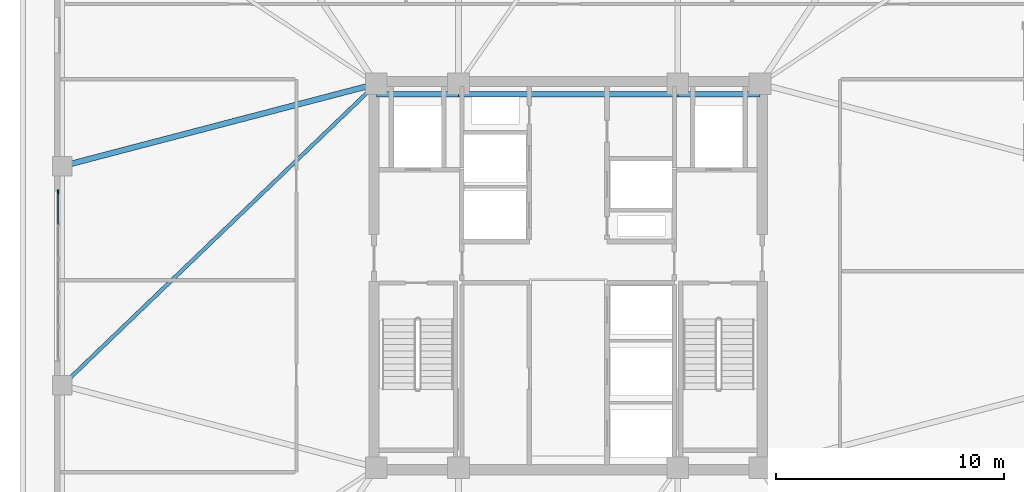
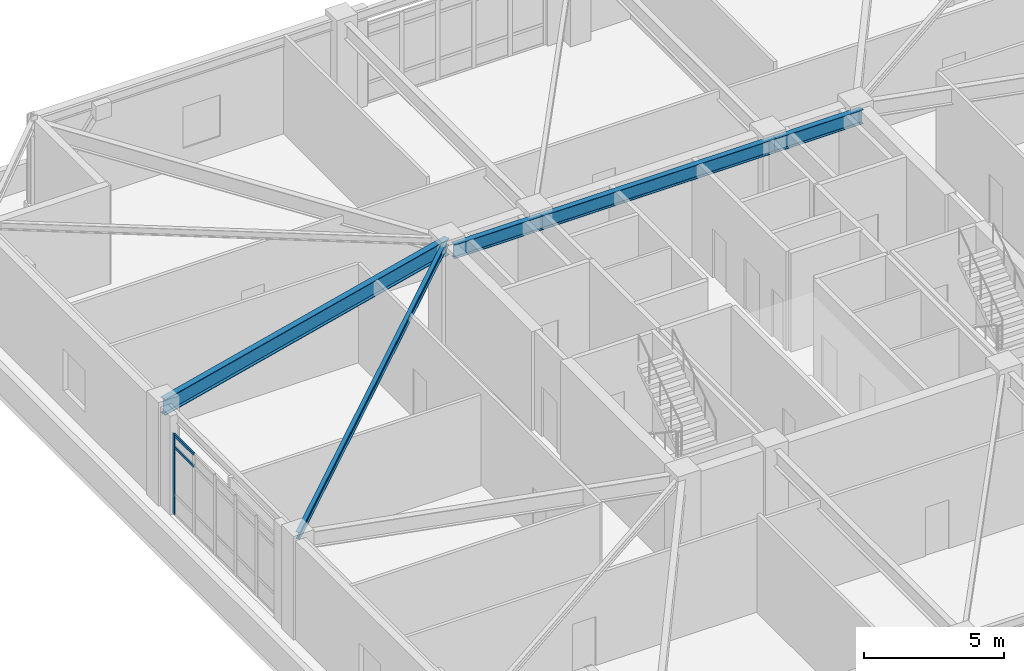
# One storey, part 7 of 18: 5 beams, 3 members, 1 element without a shape of its own.
"""IFC4 building model written with IfcOpenShell, lengths in metres."""

from ifc_helpers import new_model, si_unit, direction, frame, origin, origin_2d, place, context, subcontext, project, spatial, rectangle, i_section, extrude, material, layer, layer_set, material_profile, profile_set, type_object, element, aggregate, save


model = new_model("IFC4")

# Units and contexts
model_context = context("Model", 3, precision=1e-05, world=origin(), true_north=direction((0.0, 1.0)))
body_context = subcontext(model_context, "Body", "Model", "MODEL_VIEW")
ifc_project = project(units=[si_unit("LENGTHUNIT", "METRE"), si_unit("AREAUNIT", "SQUARE_METRE"), si_unit("VOLUMEUNIT", "CUBIC_METRE"), si_unit("PLANEANGLEUNIT", "RADIAN"), si_unit("MASSUNIT", "GRAM", prefix="KILO")], contexts=[model_context])

# Site, building, storey
site_placement = place(None, origin())
site = spatial("IfcSite", under=ifc_project, at=site_placement, CompositionType="ELEMENT")
building_placement = place(site_placement, origin())
building = spatial("IfcBuilding", under=site, at=building_placement, Name="Cairnveth Concourse Tower", CompositionType="ELEMENT")
storey_placement = place(building_placement, frame((0.0, 0.0, 198.0)))
storey = spatial("IfcBuildingStorey", under=building, at=storey_placement, Name="L54", CompositionType="ELEMENT", Elevation=198.0)

# Curtain wall, members
ifc_material_1 = material(Name="Architectural Bronze Anodised Aluminium 6063-T6", Category="aluminium")
ifc_layer = layer(ifc_material_1, 0.320068359375)
ifc_layer_set = layer_set([ifc_layer], Name="Architectural Bronze Anodised Aluminium 6063-T6")
curtain_wall_type = type_object("IfcCurtainWallType", Name="SKY LOBBY WINTERGARDEN CURTAIN WALL", PredefinedType="USERDEFINED", material=ifc_layer_set)
curtain_wall_placement = place(storey_placement, origin())
curtain_wall = element("IfcCurtainWall", 1, at=curtain_wall_placement, inside=storey, type_object=curtain_wall_type, Name="Curtain Wall CW-L54-F6", ObjectType="UNITISED FACADE", PredefinedType="USERDEFINED")
ifc_material_profile_1 = material_profile(ifc_material_1, rectangle(XDim=0.06494140625, YDim=0.179931640625, at=origin_2d()), Name="AL-MUL-65x180")
ifc_profile_set_1 = profile_set([ifc_material_profile_1], Name="Architectural Bronze Anodised Aluminium 6063-T6")
member_type_1 = type_object("IfcMemberType", Name="BRONZE CURTAIN WALL MULLION AL-MUL-65x180", PredefinedType="MULLION", material=ifc_profile_set_1)
member_1_placement = place(storey_placement, frame((29.659912109375, 42.6826171875, 0.0), z_axis=(0.0, 0.0, 1.0), x_axis=(-1.0, 0.0, 0.0)))
member_1 = element("IfcMember", 2, at=member_1_placement, type_object=member_type_1, Name="CWS4 mullion 6", PredefinedType="MULLION", context=body_context, shape_type="SweptSolid", body=[
    extrude(rectangle(XDim=0.06494140625, YDim=0.179931640625, at=origin_2d()), origin(), (0.0, 0.0, 1.0), 3.498046875),
])
ifc_material_profile_2 = material_profile(ifc_material_1, rectangle(XDim=0.06494140625, YDim=0.1201171875, at=origin_2d()), Name="AL-TRN-65x120")
ifc_profile_set_2 = profile_set([ifc_material_profile_2], Name="Architectural Bronze Anodised Aluminium 6063-T6")
member_type_2 = type_object("IfcMemberType", Name="BRONZE CURTAIN WALL TRANSOM AL-TRN-65x120", PredefinedType="USERDEFINED", material=ifc_profile_set_2)
member_2_placement = place(storey_placement, frame((29.659912109375, 41.261474609375, 2.947998046875), z_axis=(0.0, 1.0, 0.0), x_axis=(-1.0, 0.0, 0.0)))
member_2 = element("IfcMember", 3, at=member_2_placement, type_object=member_type_2, Name="CWS4 transom 5.3", ObjectType="TRANSOM", PredefinedType="USERDEFINED", context=body_context, shape_type="SweptSolid", body=[
    extrude(rectangle(XDim=0.06494140625, YDim=0.1201171875, at=origin_2d()), origin(), (0.0, 0.0, 1.0), 1.388427734375),
])
member_3_placement = place(storey_placement, frame((29.659912109375, 41.261474609375, 3.465576171875), z_axis=(0.0, 1.0, 0.0), x_axis=(-1.0, 0.0, 0.0)))
member_3 = element("IfcMember", 4, at=member_3_placement, type_object=member_type_2, Name="CWS4 transom 5.4", ObjectType="TRANSOM", PredefinedType="USERDEFINED", context=body_context, shape_type="SweptSolid", body=[
    extrude(rectangle(XDim=0.06494140625, YDim=0.1201171875, at=origin_2d()), origin(), (0.0, 0.0, 1.0), 1.388427734375),
])
aggregate(curtain_wall, [member_1, member_2, member_3])

# Beams
ifc_material_2 = material(Name="Steel Grade 350", Category="steel")
ifc_material_profile_3 = material_profile(ifc_material_2, i_section(OverallWidth=0.22802734375, OverallDepth=0.60693359375, WebThickness=0.01123046875, FlangeThickness=0.017333984375, FilletRadius=0.013916015625, at=origin_2d()), Name="610UB113")
ifc_profile_set_3 = profile_set([ifc_material_profile_3], Name="Steel Grade 350")
beam_type_1 = type_object("IfcBeamType", Name="CORE TIE BEAM 610UB113", PredefinedType="T_BEAM", material=ifc_profile_set_3)
for number, where, z_axis, x_axis, name in (
    (5, (43.60009765625, 46.949951171875, 3.986572265625), (1.0, 0.0, 0.0), (0.0, 1.0, 0.0), "Beam CT-N1 L54"),
    (6, (56.800048828125, 46.949951171875, 3.986572265625), (1.0, 0.0, 0.0), (0.0, 1.0, 0.0), "Beam CT-N3 L54"),
):
    element("IfcBeam", number, at=place(storey_placement, frame(where, z_axis=z_axis, x_axis=x_axis)), inside=storey, type_object=beam_type_1, Name=name, PredefinedType="T_BEAM", context=body_context, shape_type="SweptSolid", body=[
        extrude(i_section(OverallWidth=0.22802734375, OverallDepth=0.60693359375, WebThickness=0.01123046875, FlangeThickness=0.017333984375, FilletRadius=0.013916015625, at=origin_2d()), origin(), (0.0, 0.0, 1.0), 3.599853515625),
    ])
beam_1_placement = place(storey_placement, frame((47.199951171875, 46.949951171875, 3.986572265625), z_axis=(1.0, 0.0, 0.0), x_axis=(0.0, 1.0, 0.0)))
element("IfcBeam", 7, at=beam_1_placement, inside=storey, type_object=beam_type_1, Name="Beam CT-N2 L54", PredefinedType="T_BEAM", context=body_context, shape_type="SweptSolid", body=[
    extrude(i_section(OverallWidth=0.22802734375, OverallDepth=0.60693359375, WebThickness=0.01123046875, FlangeThickness=0.017333984375, FilletRadius=0.013916015625, at=origin_2d()), origin(), (0.0, 0.0, 1.0), 9.60009765625),
])
ifc_material_profile_4 = material_profile(ifc_material_2, i_section(OverallWidth=0.166015625, OverallDepth=0.306884765625, WebThickness=0.006591796875, FlangeThickness=0.01171875, FilletRadius=0.010986328125, at=origin_2d()), Name="310UB46.2")
ifc_profile_set_4 = profile_set([ifc_material_profile_4], Name="Steel Grade 350")
beam_type_2 = type_object("IfcBeamType", Name="ZONE 3 FLOOR JOIST 310UB46.2", PredefinedType="JOIST", material=ifc_profile_set_4)
beam_2_placement = place(storey_placement, frame((29.85009765625, 34.199951171875, 4.136474609375), z_axis=(0.721388600838, 0.692530495055, 0.0), x_axis=(-0.692530495055, 0.721388600838, 0.0)))
element("IfcBeam", 8, at=beam_2_placement, inside=storey, type_object=beam_type_2, Name="Beam FJ-W-M1 L54", PredefinedType="JOIST", context=body_context, shape_type="SweptSolid", body=[
    extrude(i_section(OverallWidth=0.166015625, OverallDepth=0.306884765625, WebThickness=0.006591796875, FlangeThickness=0.01171875, FilletRadius=0.010986328125, at=origin_2d()), origin(), (0.0, 0.0, 1.0), 19.060546875),
])
ifc_material_profile_5 = material_profile(ifc_material_2, i_section(OverallWidth=0.25, OverallDepth=0.69189453125, WebThickness=0.010009765625, FlangeThickness=0.02490234375, at=origin_2d()), Name="700WB150")
ifc_profile_set_5 = profile_set([ifc_material_profile_5], Name="Steel Grade 350")
beam_type_3 = type_object("IfcBeamType", Name="ZONE 3 RADIAL GIRDER 700WB150", PredefinedType="BEAM", material=ifc_profile_set_5)
beam_3_placement = place(storey_placement, frame((29.85009765625, 43.800048828125, 3.944091796875), z_axis=(0.967395273598, 0.253271365575, 0.0), x_axis=(-0.253271365575, 0.967395273598, 0.0)))
element("IfcBeam", 9, at=beam_3_placement, inside=storey, type_object=beam_type_3, Name="Beam RG-W2 L54", PredefinedType="BEAM", context=body_context, shape_type="SweptSolid", body=[
    extrude(i_section(OverallWidth=0.25, OverallDepth=0.69189453125, WebThickness=0.010009765625, FlangeThickness=0.02490234375, at=origin_2d()), origin(), (0.0, 0.0, 1.0), 14.21337890625),
])

save(model, "model.ifc")
